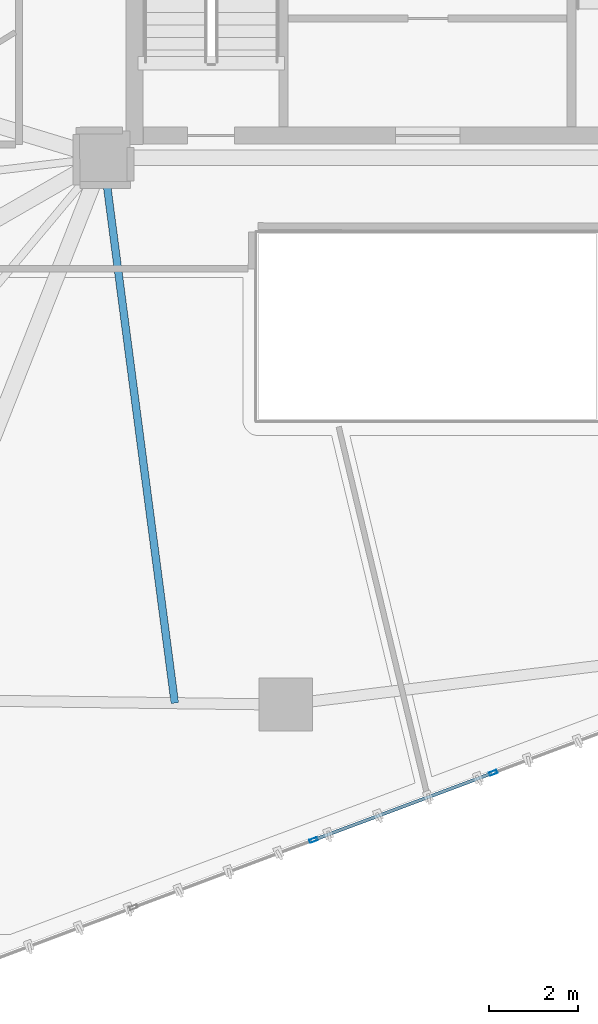
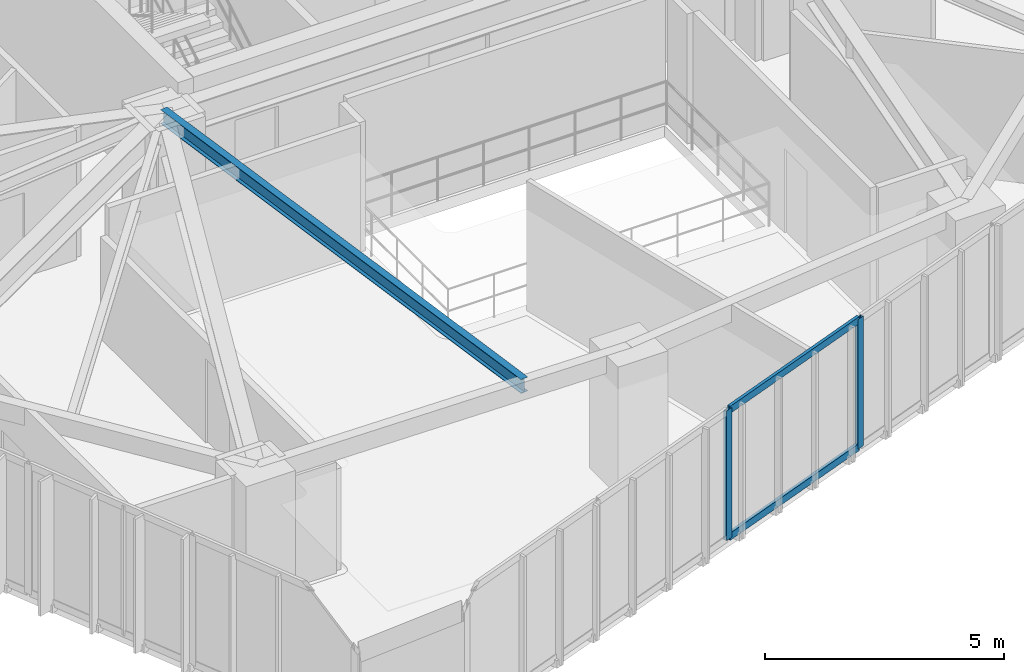
# One storey, part 4 of 22: 4 members, 1 beam, 1 element without a shape of its own.
"""IFC4 building model written with IfcOpenShell, lengths in metres."""

from ifc_helpers import new_model, si_unit, direction, frame, origin, origin_2d, place, context, subcontext, project, spatial, hollow_rectangle, i_section, extrude, source, transform, mapped, material, layer, layer_set, material_profile, profile_set, type_object, type_shapes, element, aggregate, save


model = new_model("IFC4")

# Units and contexts
model_context = context("Model", 3, precision=1e-05, world=origin(), true_north=direction((0.0, 1.0)))
body_context = subcontext(model_context, "Body", "Model", "MODEL_VIEW")
ifc_project = project(units=[si_unit("LENGTHUNIT", "METRE"), si_unit("AREAUNIT", "SQUARE_METRE"), si_unit("VOLUMEUNIT", "CUBIC_METRE"), si_unit("PLANEANGLEUNIT", "RADIAN"), si_unit("MASSUNIT", "GRAM", prefix="KILO")], contexts=[model_context])

# Site, building, storey
site_placement = place(None, origin())
site = spatial("IfcSite", under=ifc_project, at=site_placement, CompositionType="ELEMENT")
building_placement = place(site_placement, origin())
building = spatial("IfcBuilding", under=site, at=building_placement, Name="Talar Marvaseh", CompositionType="ELEMENT")
storey_placement = place(building_placement, frame((0.0, 0.0, 150.60009765625)))
storey = spatial("IfcBuildingStorey", under=building, at=storey_placement, Name="L39", CompositionType="ELEMENT", Elevation=150.60009765625)

# Beam
ifc_material_1 = material(Name="Steel S355", Category="steel")
ifc_material_profile_1 = material_profile(ifc_material_1, i_section(OverallWidth=0.172119140625, OverallDepth=0.35791015625, WebThickness=0.0078125, FlangeThickness=0.01318359375, at=origin_2d()), Name="W360x57")
ifc_profile_set_1 = profile_set([ifc_material_profile_1], Name="Steel S355")
beam_type = type_object("IfcBeamType", Name="Zone 2 Secondary Floor Joist W360x57", PredefinedType="JOIST", material=ifc_profile_set_1)
beam_placement = place(storey_placement, frame((20.30908203125, 13.215576171875, 3.130859375), z_axis=(-0.129880008292, 0.991529718892, 0.0), x_axis=(-0.991529718892, -0.129880008292, 0.0)))
element("IfcBeam", 1, at=beam_placement, inside=storey, type_object=beam_type, Name="L39 Zone 2 Secondary Floor Joist W360x57", PredefinedType="JOIST", context=body_context, shape_type="SweptSolid", body=[
    extrude(i_section(OverallWidth=0.172119140625, OverallDepth=0.35791015625, WebThickness=0.0078125, FlangeThickness=0.01318359375, at=origin_2d()), origin(), (0.0, 0.0, 1.0), 12.389404296875),
])

# Curtain wall, members
ifc_material_2 = material(Name="Architectural Aluminium", Category="aluminium")
ifc_layer = layer(ifc_material_2, 0.199951171875)
ifc_layer_set = layer_set([ifc_layer], Name="Architectural Aluminium")
curtain_wall_type = type_object("IfcCurtainWallType", Name="Unitised Acoustic Library Curtain Wall Z2", PredefinedType="NOTDEFINED", material=ifc_layer_set)
curtain_wall_placement = place(storey_placement, origin())
curtain_wall = element("IfcCurtainWall", 2, at=curtain_wall_placement, inside=storey, type_object=curtain_wall_type, Name="L39 Unitised Acoustic Library Curtain Wall Z2", PredefinedType="NOTDEFINED")
ifc_material_profile_2 = material_profile(ifc_material_2, hollow_rectangle(XDim=0.074951171875, YDim=0.179931640625, WallThickness=0.0048828125, at=origin_2d()), Name="RHS180x75x5")
ifc_profile_set_2 = profile_set([ifc_material_profile_2], Name="Architectural Aluminium")
member_type_1 = type_object("IfcMemberType", Name="Unitised Curtain Wall Transom RHS180x75x5", PredefinedType="USERDEFINED", material=ifc_profile_set_2)
shared_shape_1 = source(origin(), body_context, "Body", "SweptSolid", [
    extrude(hollow_rectangle(XDim=0.074951171875, YDim=0.179931640625, WallThickness=0.0048828125, at=origin_2d()), origin(), (0.0, 0.0, 1.0), 4.24853515625),
])
type_shapes(member_type_1, [shared_shape_1])
member_1_placement = place(storey_placement, frame((27.44580078125, 11.63427734375, 0.037353515625), z_axis=(-0.936614615861, -0.350361329708, 0.0), x_axis=(0.350361329708, -0.936614615861, 0.0)))
member_1 = element("IfcMember", 3, at=member_1_placement, type_object=member_type_1, Name="CW-Z2 transom 3.1", ObjectType="TRANSOM", PredefinedType="USERDEFINED", context=body_context, shape_type="MappedRepresentation", body=[
    mapped(shared_shape_1, transform((0.0, 0.0, 0.0), x_axis=(1.0, 0.0, 0.0), y_axis=(0.0, 1.0, 0.0), z_axis=(0.0, 0.0, 1.0), scale=1.0)),
])
member_2_placement = place(storey_placement, frame((27.44580078125, 11.63427734375, 3.2724609375), z_axis=(-0.936614615861, -0.350361329708, 0.0), x_axis=(0.350361329708, -0.936614615861, 0.0)))
member_2 = element("IfcMember", 4, at=member_2_placement, type_object=member_type_1, Name="CW-Z2 transom 3.2", ObjectType="TRANSOM", PredefinedType="USERDEFINED", context=body_context, shape_type="MappedRepresentation", body=[
    mapped(shared_shape_1, transform((0.0, 0.0, 0.0), x_axis=(1.0, 0.0, 0.0), y_axis=(0.0, 1.0, 0.0), z_axis=(0.0, 0.0, 1.0), scale=1.0)),
])
ifc_material_profile_3 = material_profile(ifc_material_2, hollow_rectangle(XDim=0.074951171875, YDim=0.179931640625, WallThickness=0.0048828125, at=origin_2d()), Name="RHS180x75x5")
ifc_profile_set_3 = profile_set([ifc_material_profile_3], Name="Architectural Aluminium")
member_type_2 = type_object("IfcMemberType", Name="Unitised Curtain Wall Standard Mullion RHS180x75x5", PredefinedType="MULLION", material=ifc_profile_set_3)
shared_shape_2 = source(origin(), body_context, "Body", "SweptSolid", [
    extrude(hollow_rectangle(XDim=0.074951171875, YDim=0.179931640625, WallThickness=0.0048828125, at=origin_2d()), origin(), (0.0, 0.0, 1.0), 3.309814453125),
])
type_shapes(member_type_2, [shared_shape_2])
member_3_placement = place(storey_placement, frame((27.48095703125, 11.6474609375, 0.0), z_axis=(0.0, 0.0, 1.0), x_axis=(0.350352263842, -0.936618007098, 0.0)))
member_3 = element("IfcMember", 5, at=member_3_placement, type_object=member_type_2, Name="CW-Z2 mullion 3", PredefinedType="MULLION", context=body_context, shape_type="MappedRepresentation", body=[
    mapped(shared_shape_2, transform((0.0, 0.0, 0.0), x_axis=(1.0, 0.0, 0.0), y_axis=(0.0, 1.0, 0.0), z_axis=(0.0, 0.0, 1.0), scale=1.0)),
])
member_4_placement = place(storey_placement, frame((23.431396484375, 10.1328125, 0.0), z_axis=(0.0, 0.0, 1.0), x_axis=(0.350352263842, -0.936618007098, 0.0)))
member_4 = element("IfcMember", 6, at=member_4_placement, type_object=member_type_2, Name="CW-Z2 mullion 4", PredefinedType="MULLION", context=body_context, shape_type="MappedRepresentation", body=[
    mapped(shared_shape_2, transform((0.0, 0.0, 0.0), x_axis=(1.0, 0.0, 0.0), y_axis=(0.0, 1.0, 0.0), z_axis=(0.0, 0.0, 1.0), scale=1.0)),
])
aggregate(curtain_wall, [member_3, member_4, member_1, member_2])

save(model, "model.ifc")
